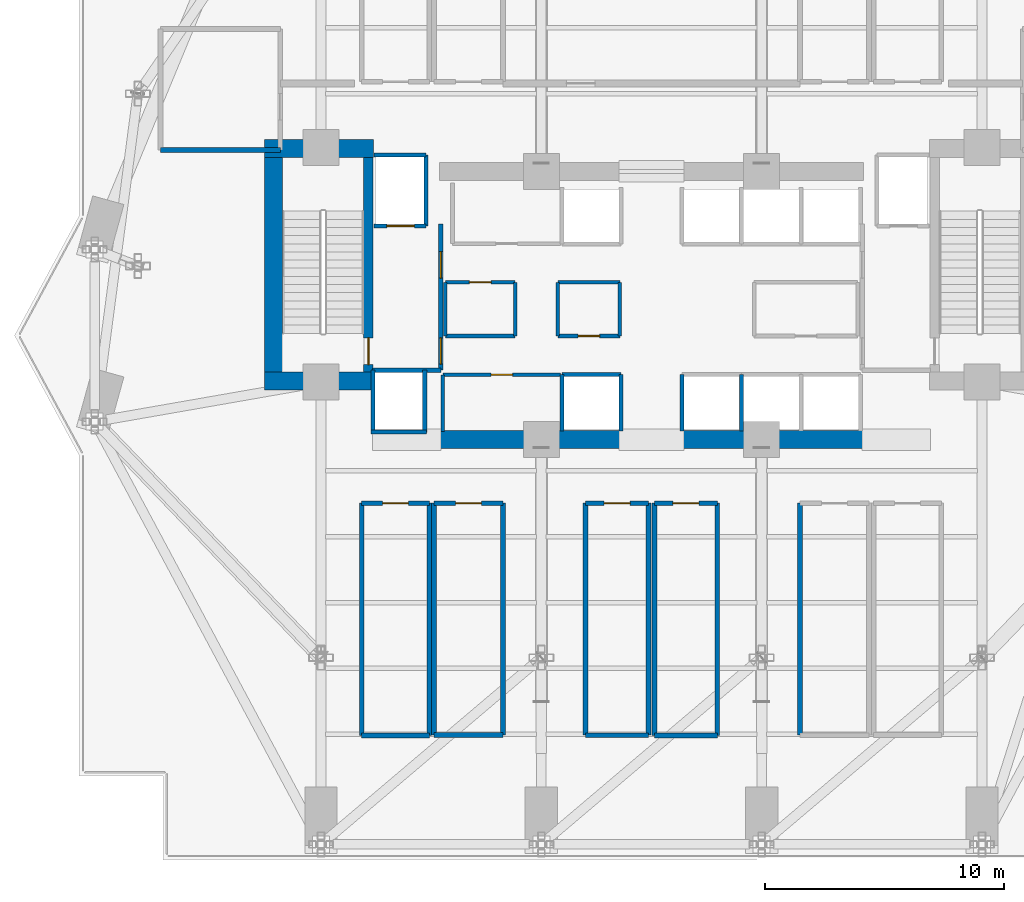
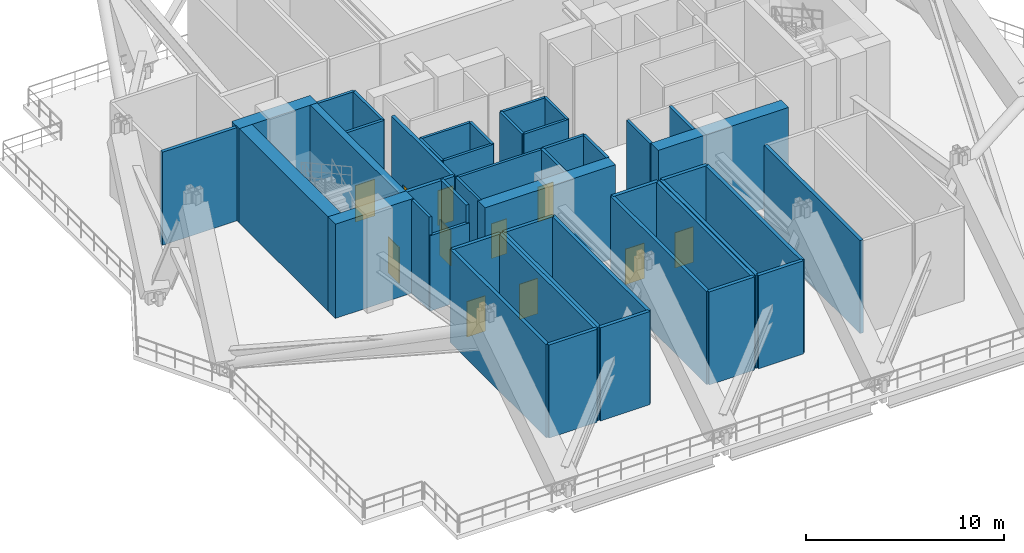
# One storey, part 12 of 18: 47 walls, 11 doors, 11 openings.
"""IFC4 building model written with IfcOpenShell, lengths in metres."""

from ifc_helpers import new_model, si_unit, direction, frame, frame_2d, origin, place, context, subcontext, project, spatial, rectangle, extrude, material, layer, layer_set, type_object, element, fill, save


model = new_model("IFC4")

# Units and contexts
model_context = context("Model", 3, precision=1e-05, world=origin(), true_north=direction((0.0, 1.0)))
body_context = subcontext(model_context, "Body", "Model", "MODEL_VIEW")
ifc_project = project(units=[si_unit("LENGTHUNIT", "METRE"), si_unit("AREAUNIT", "SQUARE_METRE"), si_unit("VOLUMEUNIT", "CUBIC_METRE"), si_unit("PLANEANGLEUNIT", "RADIAN"), si_unit("MASSUNIT", "GRAM", prefix="KILO")], contexts=[model_context])

# Site, building, storey
site_placement = place(None, origin())
site = spatial("IfcSite", under=ifc_project, at=site_placement, CompositionType="ELEMENT")
building_placement = place(site_placement, origin())
building = spatial("IfcBuilding", under=site, at=building_placement, Name="Zuhayl Quay Hotel", CompositionType="ELEMENT")
storey_placement = place(building_placement, frame((0.0, 0.0, 162.199951171875)))
storey = spatial("IfcBuildingStorey", under=building, at=storey_placement, Name="L41", CompositionType="ELEMENT", Elevation=162.199951171875)

# Walls
ifc_material_1 = material(Name="Concrete C60/75", Category="concrete")
ifc_layer_1 = layer(ifc_material_1, 0.75, Name="Concrete C60/75", Category="concrete")
ifc_layer_set_1 = layer_set([ifc_layer_1], Name="Concrete C60/75")
wall_type_1 = type_object("IfcWallType", Name="WL_CORE_750", PredefinedType="SHEAR", material=ifc_layer_set_1)
wall_1_placement = place(storey_placement, frame((-16.159912109375, 14.304931640625, 0.0), z_axis=(0.0, 0.0, 1.0), x_axis=(1.0, 0.0, 0.0)))
element("IfcWall", 1, at=wall_1_placement, inside=storey, type_object=wall_type_1, Name="L41 Core Shear Wall CW_NW", PredefinedType="SHEAR", context=body_context, shape_type="SweptSolid", body=[
    extrude(rectangle(XDim=4.559814453125, YDim=0.75, at=frame_2d((2.27978515625, 0.0))), origin(), (0.0, 0.0, 1.0), 5.81005859375),
])
wall_2_placement = place(storey_placement, frame((-15.784912109375, 4.969970703125, 0.0), z_axis=(0.0, 0.0, 1.0), x_axis=(0.0, 1.0, 0.0)))
element("IfcWall", 2, at=wall_2_placement, inside=storey, type_object=wall_type_1, Name="L41 Core Shear Wall CW_W", PredefinedType="SHEAR", context=body_context, shape_type="SweptSolid", body=[
    extrude(rectangle(XDim=8.9599609375, YDim=0.75, at=frame_2d((4.47998046875, 0.0))), origin(), (0.0, 0.0, 1.0), 5.81005859375),
])
wall_3_placement = place(storey_placement, frame((-16.159912109375, 4.594970703125, 0.0), z_axis=(0.0, 0.0, 1.0), x_axis=(1.0, 0.0, 0.0)))
element("IfcWall", 3, at=wall_3_placement, inside=storey, type_object=wall_type_1, Name="L41 Core Shear Wall CW_SW", PredefinedType="SHEAR", context=body_context, shape_type="SweptSolid", body=[
    extrude(rectangle(XDim=4.559814453125, YDim=0.75, at=frame_2d((2.27978515625, 0.0))), origin(), (0.0, 0.0, 1.0), 5.81005859375),
])
for number, where, z_axis, x_axis, name in (
    (4, (-8.85009765625, 2.14990234375, 0.0), (0.0, 0.0, 1.0), (1.0, 0.0, 0.0), "L41 Core Shear Wall CW_SC_W"),
    (5, (1.25, 2.14990234375, 0.0), (0.0, 0.0, 1.0), (1.0, 0.0, 0.0), "L41 Core Shear Wall CW_SC_E"),
):
    element("IfcWall", number, at=place(storey_placement, frame(where, z_axis=z_axis, x_axis=x_axis)), inside=storey, type_object=wall_type_1, Name=name, PredefinedType="SHEAR", context=body_context, shape_type="SweptSolid", body=[
        extrude(rectangle(XDim=7.60009765625, YDim=0.75, at=frame_2d((3.800048828125, 0.0))), origin(), (0.0, 0.0, 1.0), 5.739990234375),
    ])

# Wall, opening, door
ifc_material_2 = material(Name="Acoustic Gypsum Partition STC-58")
ifc_layer_2 = layer(ifc_material_2, 0.14990234375, Name="Acoustic Gypsum Partition STC-58")
ifc_layer_set_2 = layer_set([ifc_layer_2], Name="Acoustic Gypsum Partition STC-58")
wall_type_2 = type_object("IfcWallType", Name="WL_PART_150", PredefinedType="PARTITIONING", material=ifc_layer_set_2)
wall_4_placement = place(storey_placement, frame((-8.7099609375, 4.860107421875, 0.0), z_axis=(0.0, 0.0, 1.0), x_axis=(1.0, 0.0, 0.0)))
wall_4 = element("IfcWall", 6, at=wall_4_placement, inside=storey, type_object=wall_type_2, Name="L41 Partition IW_L41_FLP_S_N", PredefinedType="PARTITIONING", context=body_context, shape_type="SweptSolid", body=[
    extrude(rectangle(XDim=4.919921875, YDim=0.14990234375, at=frame_2d((2.4599609375, 0.0))), origin(), (0.0, 0.0, 1.0), 5.739990234375),
])
opening_1_placement = place(wall_4_placement, frame((2.010009765625, 0.0, 0.0)))
opening_1 = element("IfcOpeningElement", 7, at=opening_1_placement, cuts=wall_4, Name="Opening D06", PredefinedType="OPENING", context=body_context, shape_type="SweptSolid", body=[
    extrude(rectangle(XDim=0.89990234375, YDim=2.14990234375, at=frame_2d((0.449951171875, 1.074951171875))), frame((0.0, 0.0849609375, 0.0), z_axis=(0.0, -1.0, 0.0), x_axis=(1.0, 0.0, 0.0)), (0.0, 0.0, 1.0), 0.169921875),
])
ifc_material_3 = material(Name="Steel ASTM A992 Grade 50", Category="steel")
door_type_1 = type_object("IfcDoorType", Name="DR_INT_900", OperationType="NOTDEFINED", PredefinedType="DOOR", material=ifc_material_3)
door_1_placement = place(opening_1_placement, origin())
door_1 = element("IfcDoor", 8, at=door_1_placement, inside=storey, type_object=door_type_1, Name="L41 Executive Servery Door", OperationType="SINGLE_SWING_RIGHT", OverallHeight=2.14990234375, OverallWidth=0.89990234375, PredefinedType="DOOR", context=body_context, shape_type="SweptSolid", body=[
    extrude(rectangle(XDim=0.89990234375, YDim=2.14990234375, at=frame_2d((0.449951171875, 1.074951171875))), frame((0.0, 0.02490234375, 0.0), z_axis=(0.0, -1.0, 0.0), x_axis=(1.0, 0.0, 0.0)), (0.0, 0.0, 1.0), 0.050048828125),
])
fill(opening_1, door_1)

wall_5_placement = place(storey_placement, frame((-8.610107421875, 8.719970703125, 0.0), z_axis=(0.0, 0.0, 1.0), x_axis=(1.0, 0.0, 0.0)))
wall_5 = element("IfcWall", 9, at=wall_5_placement, inside=storey, type_object=wall_type_2, Name="L41 Partition IW_L41_CORE_HK_N", PredefinedType="PARTITIONING", context=body_context, shape_type="SweptSolid", body=[
    extrude(rectangle(XDim=2.920166015625, YDim=0.14990234375, at=frame_2d((1.4599609375, 0.0))), origin(), (0.0, 0.0, 1.0), 5.739990234375),
])
opening_2_placement = place(wall_5_placement, frame((1.010009765625, 0.0, 0.0)))
opening_2 = element("IfcOpeningElement", 10, at=opening_2_placement, cuts=wall_5, Name="Opening D06", PredefinedType="OPENING", context=body_context, shape_type="SweptSolid", body=[
    extrude(rectangle(XDim=0.89990234375, YDim=2.14990234375, at=frame_2d((0.449951171875, 1.074951171875))), frame((0.0, 0.0849609375, 0.0), z_axis=(0.0, -1.0, 0.0), x_axis=(1.0, 0.0, 0.0)), (0.0, 0.0, 1.0), 0.169921875),
])
door_2_placement = place(opening_2_placement, origin())
door_2 = element("IfcDoor", 11, at=door_2_placement, inside=storey, type_object=door_type_1, Name="L41 Core Housekeeping Store Door", OperationType="SINGLE_SWING_RIGHT", OverallHeight=2.14990234375, OverallWidth=0.89990234375, PredefinedType="DOOR", context=body_context, shape_type="SweptSolid", body=[
    extrude(rectangle(XDim=0.89990234375, YDim=2.14990234375, at=frame_2d((0.449951171875, 1.074951171875))), frame((0.0, 0.02490234375, 0.0), z_axis=(0.0, -1.0, 0.0), x_axis=(1.0, 0.0, 0.0)), (0.0, 0.0, 1.0), 0.050048828125),
])
fill(opening_2, door_2)

wall_6_placement = place(storey_placement, frame((-3.909912109375, 6.47998046875, 0.0), z_axis=(0.0, 0.0, 1.0), x_axis=(1.0, 0.0, 0.0)))
wall_6 = element("IfcWall", 12, at=wall_6_placement, inside=storey, type_object=wall_type_2, Name="L41 Partition IW_L41_CORE_BC_S", PredefinedType="PARTITIONING", context=body_context, shape_type="SweptSolid", body=[
    extrude(rectangle(XDim=2.58984375, YDim=0.14990234375, at=frame_2d((1.294921875, 0.0))), origin(), (0.0, 0.0, 1.0), 5.739990234375),
])
opening_3_placement = place(wall_6_placement, frame((0.844970703125, 0.0, 0.0)))
opening_3 = element("IfcOpeningElement", 13, at=opening_3_placement, cuts=wall_6, Name="Opening D06", PredefinedType="OPENING", context=body_context, shape_type="SweptSolid", body=[
    extrude(rectangle(XDim=0.89990234375, YDim=2.14990234375, at=frame_2d((0.449951171875, 1.074951171875))), frame((0.0, 0.0849609375, 0.0), z_axis=(0.0, -1.0, 0.0), x_axis=(1.0, 0.0, 0.0)), (0.0, 0.0, 1.0), 0.169921875),
])
door_3_placement = place(opening_3_placement, origin())
door_3 = element("IfcDoor", 14, at=door_3_placement, inside=storey, type_object=door_type_1, Name="L41 BMS Control Closet Door", OperationType="SINGLE_SWING_LEFT", OverallHeight=2.14990234375, OverallWidth=0.89990234375, PredefinedType="DOOR", context=body_context, shape_type="SweptSolid", body=[
    extrude(rectangle(XDim=0.89990234375, YDim=2.14990234375, at=frame_2d((0.449951171875, 1.074951171875))), frame((0.0, 0.02490234375, 0.0), z_axis=(0.0, -1.0, 0.0), x_axis=(1.0, 0.0, 0.0)), (0.0, 0.0, 1.0), 0.050048828125),
])
fill(opening_3, door_3)

# Walls
wall_7_placement = place(storey_placement, frame((-8.7099609375, 2.489990234375, 0.0), z_axis=(0.0, 0.0, 1.0), x_axis=(0.0, 1.0, 0.0)))
element("IfcWall", 15, at=wall_7_placement, inside=storey, type_object=wall_type_2, Name="L41 Partition IW_L41_FLP_S_W", PredefinedType="PARTITIONING", context=body_context, shape_type="SweptSolid", body=[
    extrude(rectangle(XDim=2.3701171875, YDim=0.14990234375, at=frame_2d((1.18505859375, 0.0))), origin(), (0.0, 0.0, 1.0), 5.739990234375),
])
wall_8_placement = place(storey_placement, frame((-8.610107421875, 6.47998046875, 0.0), z_axis=(0.0, 0.0, 1.0), x_axis=(1.0, 0.0, 0.0)))
element("IfcWall", 16, at=wall_8_placement, inside=storey, type_object=wall_type_2, Name="L41 Partition IW_L41_CORE_HK_S", PredefinedType="PARTITIONING", context=body_context, shape_type="SweptSolid", body=[
    extrude(rectangle(XDim=2.920166015625, YDim=0.14990234375, at=frame_2d((1.4599609375, 0.0))), origin(), (0.0, 0.0, 1.0), 5.739990234375),
])
for number, where, z_axis, x_axis, name in (
    (17, (-8.610107421875, 6.47998046875, 0.0), (0.0, 0.0, 1.0), (0.0, 1.0, 0.0), "L41 Partition IW_L41_CORE_HK_W"),
    (18, (-5.68994140625, 6.47998046875, 0.0), (0.0, 0.0, 1.0), (0.0, 1.0, 0.0), "L41 Partition IW_L41_CORE_HK_E"),
):
    element("IfcWall", number, at=place(storey_placement, frame(where, z_axis=z_axis, x_axis=x_axis)), inside=storey, type_object=wall_type_2, Name=name, PredefinedType="PARTITIONING", context=body_context, shape_type="SweptSolid", body=[
        extrude(rectangle(XDim=2.239990234375, YDim=0.14990234375, at=frame_2d((1.1201171875, 0.0))), origin(), (0.0, 0.0, 1.0), 5.739990234375),
    ])
wall_9_placement = place(storey_placement, frame((-3.909912109375, 8.719970703125, 0.0), z_axis=(0.0, 0.0, 1.0), x_axis=(1.0, 0.0, 0.0)))
element("IfcWall", 19, at=wall_9_placement, inside=storey, type_object=wall_type_2, Name="L41 Partition IW_L41_CORE_BC_N", PredefinedType="PARTITIONING", context=body_context, shape_type="SweptSolid", body=[
    extrude(rectangle(XDim=2.58984375, YDim=0.14990234375, at=frame_2d((1.294921875, 0.0))), origin(), (0.0, 0.0, 1.0), 5.739990234375),
])
for number, where, z_axis, x_axis, name in (
    (20, (-3.909912109375, 6.47998046875, 0.0), (0.0, 0.0, 1.0), (0.0, 1.0, 0.0), "L41 Partition IW_L41_CORE_BC_W"),
    (21, (-1.320068359375, 6.47998046875, 0.0), (0.0, 0.0, 1.0), (0.0, 1.0, 0.0), "L41 Partition IW_L41_CORE_BC_E"),
):
    element("IfcWall", number, at=place(storey_placement, frame(where, z_axis=z_axis, x_axis=x_axis)), inside=storey, type_object=wall_type_2, Name=name, PredefinedType="PARTITIONING", context=body_context, shape_type="SweptSolid", body=[
        extrude(rectangle(XDim=2.239990234375, YDim=0.14990234375, at=frame_2d((1.1201171875, 0.0))), origin(), (0.0, 0.0, 1.0), 5.739990234375),
    ])

# Wall, opening, door
ifc_material_4 = material(Name="Gypsum Fireboard Assembly EI-90")
ifc_layer_3 = layer(ifc_material_4, 0.1650390625, Name="Gypsum Fireboard Assembly EI-90")
ifc_layer_set_3 = layer_set([ifc_layer_3], Name="Gypsum Fireboard Assembly EI-90")
wall_type_3 = type_object("IfcWallType", Name="WL_PART_SHAFT_160", PredefinedType="PARTITIONING", material=ifc_layer_set_3)
wall_10_placement = place(storey_placement, frame((-11.580078125, 11.070068359375, 0.0), z_axis=(0.0, 0.0, 1.0), x_axis=(1.0, 0.0, 0.0)))
wall_10 = element("IfcWall", 22, at=wall_10_placement, inside=storey, type_object=wall_type_3, Name="L41 Partition IW_L41_SH_FL1_F", PredefinedType="PARTITIONING", context=body_context, shape_type="SweptSolid", body=[
    extrude(rectangle(XDim=2.16015625, YDim=0.1650390625, at=frame_2d((1.080078125, 0.0))), origin(), (0.0, 0.0, 1.0), 5.739990234375),
])
opening_4_placement = place(wall_10_placement, frame((0.530029296875, 0.0, 0.0)))
opening_4 = element("IfcOpeningElement", 23, at=opening_4_placement, cuts=wall_10, Name="Opening LD2", PredefinedType="OPENING", context=body_context, shape_type="SweptSolid", body=[
    extrude(rectangle(XDim=1.14990234375, YDim=2.25, at=frame_2d((0.574951171875, 1.125))), frame((0.0, 0.092529296875, 0.0), z_axis=(0.0, -1.0, 0.0), x_axis=(1.0, 0.0, 0.0)), (0.0, 0.0, 1.0), 0.18505859375),
])
ifc_material_5 = material(Name="Brushed Stainless Steel", Category="steel")
door_type_2 = type_object("IfcDoorType", Name="DR_LIFT_FF_1100", OperationType="SLIDING_TO_LEFT", PredefinedType="DOOR", material=ifc_material_5)
door_4_placement = place(opening_4_placement, origin())
door_4 = element("IfcDoor", 24, at=door_4_placement, inside=storey, type_object=door_type_2, Name="L41 Lift FL1 Sliding Landing Door", OperationType="SLIDING_TO_LEFT", OverallHeight=2.25, OverallWidth=1.14990234375, PredefinedType="DOOR", context=body_context, shape_type="SweptSolid", body=[
    extrude(rectangle(XDim=1.14990234375, YDim=2.25, at=frame_2d((0.574951171875, 1.125))), frame((0.0, 0.02490234375, 0.0), z_axis=(0.0, -1.0, 0.0), x_axis=(1.0, 0.0, 0.0)), (0.0, 0.0, 1.0), 0.050048828125),
])
fill(opening_4, door_4)

# Walls
wall_11_placement = place(storey_placement, frame((-9.419921875, 11.070068359375, 0.0), z_axis=(0.0, 0.0, 1.0), x_axis=(0.0, 1.0, 0.0)))
element("IfcWall", 25, at=wall_11_placement, inside=storey, type_object=wall_type_3, Name="L41 Partition IW_L41_SH_FL1_E", PredefinedType="PARTITIONING", context=body_context, shape_type="SweptSolid", body=[
    extrude(rectangle(XDim=2.9599609375, YDim=0.1650390625, at=frame_2d((1.47998046875, 0.0))), origin(), (0.0, 0.0, 1.0), 5.739990234375),
])
wall_12_placement = place(storey_placement, frame((-11.580078125, 14.030029296875, 0.0), z_axis=(0.0, 0.0, 1.0), x_axis=(1.0, 0.0, 0.0)))
element("IfcWall", 26, at=wall_12_placement, inside=storey, type_object=wall_type_3, Name="L41 Partition IW_L41_SH_FL1_B", PredefinedType="PARTITIONING", context=body_context, shape_type="SweptSolid", body=[
    extrude(rectangle(XDim=2.16015625, YDim=0.1650390625, at=frame_2d((1.080078125, 0.0))), origin(), (0.0, 0.0, 1.0), 5.739990234375),
])
wall_13_placement = place(storey_placement, frame((-3.72998046875, 4.8798828125, 0.0), z_axis=(0.0, 0.0, 1.0), x_axis=(1.0, 0.0, 0.0)))
element("IfcWall", 27, at=wall_13_placement, inside=storey, type_object=wall_type_3, Name="L41 Partition IW_L41_SH_MP1_F", PredefinedType="PARTITIONING", context=body_context, shape_type="SweptSolid", body=[
    extrude(rectangle(XDim=2.4599609375, YDim=0.1650390625, at=frame_2d((1.22998046875, 0.0))), origin(), (0.0, 0.0, 1.0), 5.739990234375),
])
for number, where, z_axis, x_axis, name in (
    (28, (-3.72998046875, 2.52001953125, 0.0), (0.0, 0.0, 1.0), (0.0, 1.0, 0.0), "L41 Partition IW_L41_SH_MP1_W"),
    (29, (-1.27001953125, 2.52001953125, 0.0), (0.0, 0.0, 1.0), (0.0, 1.0, 0.0), "L41 Partition IW_L41_SH_MP1_E"),
    (30, (1.27001953125, 2.52001953125, 0.0), (0.0, 0.0, 1.0), (0.0, 1.0, 0.0), "L41 Partition IW_L41_SH_MP2_W"),
    (31, (3.75, 2.52001953125, 0.0), (0.0, 0.0, 1.0), (0.0, 1.0, 0.0), "L41 Partition IW_L41_SH_MP2_E"),
):
    element("IfcWall", number, at=place(storey_placement, frame(where, z_axis=z_axis, x_axis=x_axis)), inside=storey, type_object=wall_type_3, Name=name, PredefinedType="PARTITIONING", context=body_context, shape_type="SweptSolid", body=[
        extrude(rectangle(XDim=2.35986328125, YDim=0.1650390625, at=frame_2d((1.179931640625, 0.0))), origin(), (0.0, 0.0, 1.0), 5.739990234375),
    ])
wall_14_placement = place(storey_placement, frame((-11.6298828125, 2.469970703125, 0.0), z_axis=(0.0, 0.0, 1.0), x_axis=(0.0, 1.0, 0.0)))
element("IfcWall", 32, at=wall_14_placement, inside=storey, type_object=wall_type_3, Name="L41 Partition IW_L41_RISER_W", PredefinedType="PARTITIONING", context=body_context, shape_type="SweptSolid", body=[
    extrude(rectangle(XDim=2.580078125, YDim=0.1650390625, at=frame_2d((1.2900390625, 0.0))), origin(), (0.0, 0.0, 1.0), 5.739990234375),
])
wall_15_placement = place(storey_placement, frame((-11.7099609375, 2.469970703125, 0.0), z_axis=(0.0, 0.0, 1.0), x_axis=(1.0, 0.0, 0.0)))
element("IfcWall", 33, at=wall_15_placement, inside=storey, type_object=wall_type_3, Name="L41 Partition IW_L41_RISER_S", PredefinedType="PARTITIONING", context=body_context, shape_type="SweptSolid", body=[
    extrude(rectangle(XDim=2.31005859375, YDim=0.1650390625, at=frame_2d((1.155029296875, 0.0))), origin(), (0.0, 0.0, 1.0), 4.64013671875),
])
ifc_layer_4 = layer(ifc_material_4, 0.179931640625, Name="Gypsum Fireboard Assembly EI-90")
ifc_layer_set_4 = layer_set([ifc_layer_4], Name="Gypsum Fireboard Assembly EI-90")
wall_type_4 = type_object("IfcWallType", Name="WL_PART_SHAFT_180", PredefinedType="PARTITIONING", material=ifc_layer_set_4)
wall_16_placement = place(storey_placement, frame((-9.469970703125, 2.449951171875, 0.0), z_axis=(0.0, 0.0, 1.0), x_axis=(0.0, 1.0, 0.0)))
element("IfcWall", 34, at=wall_16_placement, inside=storey, type_object=wall_type_4, Name="L41 Partition IW_L41_RISER_E", PredefinedType="PARTITIONING", context=body_context, shape_type="SweptSolid", body=[
    extrude(rectangle(XDim=2.60009765625, YDim=0.179931640625, at=frame_2d((1.300048828125, 0.0))), origin(), (0.0, 0.0, 1.0), 5.739990234375),
])

# Wall, openings, doors
ifc_material_6 = material(Name="Gypsum Fireboard Assembly EI-120")
ifc_layer_5 = layer(ifc_material_6, 0.199951171875, Name="Gypsum Fireboard Assembly EI-120")
ifc_layer_set_5 = layer_set([ifc_layer_5], Name="Gypsum Fireboard Assembly EI-120")
wall_type_5 = type_object("IfcWallType", Name="WL_PART_SHAFT_200", PredefinedType="PARTITIONING", material=ifc_layer_set_5)
wall_17_placement = place(storey_placement, frame((-8.800048828125, 5.050048828125, 0.0), z_axis=(0.0, 0.0, 1.0), x_axis=(0.0, 1.0, 0.0)))
wall_17 = element("IfcWall", 35, at=wall_17_placement, inside=storey, type_object=wall_type_5, Name="L41 Partition IW_L41_FSAE_W_E", PredefinedType="PARTITIONING", context=body_context, shape_type="SweptSolid", body=[
    extrude(rectangle(XDim=6.099853515625, YDim=0.199951171875, at=frame_2d((3.0498046875, 0.0))), origin(), (0.0, 0.0, 1.0), 5.739990234375),
])
opening_5_placement = place(wall_17_placement, frame((0.25, 0.0, 0.0)))
opening_5 = element("IfcOpeningElement", 36, at=opening_5_placement, cuts=wall_17, Name="Opening D02", PredefinedType="OPENING", context=body_context, shape_type="SweptSolid", body=[
    extrude(rectangle(XDim=1.10009765625, YDim=2.199951171875, at=frame_2d((0.550048828125, 1.10009765625))), frame((0.0, 0.10986328125, 0.0), z_axis=(0.0, -1.0, 0.0), x_axis=(1.0, 0.0, 0.0)), (0.0, 0.0, 1.0), 0.219970703125),
])
opening_6_placement = place(wall_17_placement, frame((3.85009765625, 0.0, 0.0)))
opening_6 = element("IfcOpeningElement", 37, at=opening_6_placement, cuts=wall_17, Name="Opening D02", PredefinedType="OPENING", context=body_context, shape_type="SweptSolid", body=[
    extrude(rectangle(XDim=1.10009765625, YDim=2.199951171875, at=frame_2d((0.550048828125, 1.10009765625))), frame((0.0, 0.10986328125, 0.0), z_axis=(0.0, -1.0, 0.0), x_axis=(1.0, 0.0, 0.0)), (0.0, 0.0, 1.0), 0.219970703125),
])
door_type_3 = type_object("IfcDoorType", Name="DR_FIRE_90_1100", OperationType="NOTDEFINED", PredefinedType="DOOR", material=ifc_material_3)
door_5_placement = place(opening_5_placement, origin())
door_5 = element("IfcDoor", 38, at=door_5_placement, inside=storey, type_object=door_type_3, Name="L41 FSAE Lobby West South Entry Door", OperationType="SINGLE_SWING_RIGHT", OverallHeight=2.199951171875, OverallWidth=1.10009765625, PredefinedType="DOOR", context=body_context, shape_type="SweptSolid", body=[
    extrude(rectangle(XDim=1.10009765625, YDim=2.199951171875, at=frame_2d((0.550048828125, 1.10009765625))), frame((0.0, 0.02490234375, 0.0), z_axis=(0.0, -1.0, 0.0), x_axis=(1.0, 0.0, 0.0)), (0.0, 0.0, 1.0), 0.050048828125),
])
fill(opening_5, door_5)
door_6_placement = place(opening_6_placement, origin())
door_6 = element("IfcDoor", 39, at=door_6_placement, inside=storey, type_object=door_type_3, Name="L41 FSAE Lobby West North Entry Door", OperationType="SINGLE_SWING_LEFT", OverallHeight=2.199951171875, OverallWidth=1.10009765625, PredefinedType="DOOR", context=body_context, shape_type="SweptSolid", body=[
    extrude(rectangle(XDim=1.10009765625, YDim=2.199951171875, at=frame_2d((0.550048828125, 1.10009765625))), frame((0.0, 0.02490234375, 0.0), z_axis=(0.0, -1.0, 0.0), x_axis=(1.0, 0.0, 0.0)), (0.0, 0.0, 1.0), 0.050048828125),
])
fill(opening_6, door_6)

# Wall, opening, door
wall_18_placement = place(storey_placement, frame((-12.10009765625, -0.5, 0.0), z_axis=(0.0, 0.0, 1.0), x_axis=(1.0, 0.0, 0.0)))
wall_18 = element("IfcWall", 40, at=wall_18_placement, inside=storey, type_object=wall_type_5, Name="L41 Partition IW_L41_MEP_ELEC_N", PredefinedType="PARTITIONING", context=body_context, shape_type="SweptSolid", body=[
    extrude(rectangle(XDim=2.820068359375, YDim=0.199951171875, at=frame_2d((1.41015625, 0.0))), origin(), (0.0, 0.0, 1.0), 5.739990234375),
])
opening_7_placement = place(wall_18_placement, frame((0.8701171875, 0.0, 0.0)))
opening_7 = element("IfcOpeningElement", 41, at=opening_7_placement, cuts=wall_18, Name="Opening D05A", PredefinedType="OPENING", context=body_context, shape_type="SweptSolid", body=[
    extrude(rectangle(XDim=1.080078125, YDim=2.179931640625, at=frame_2d((0.5400390625, 1.08984375))), frame((0.0, 0.10986328125, 0.0), z_axis=(0.0, -1.0, 0.0), x_axis=(1.0, 0.0, 0.0)), (0.0, 0.0, 1.0), 0.219970703125),
])
ifc_material_7 = material(Name="Solid Walnut Acoustic Fire Door")
door_type_4 = type_object("IfcDoorType", Name="DR_INT_1100", OperationType="NOTDEFINED", PredefinedType="DOOR", material=ifc_material_7)
door_7_placement = place(opening_7_placement, origin())
door_7 = element("IfcDoor", 42, at=door_7_placement, inside=storey, type_object=door_type_4, Name="L41 Switchgear Plant Room Door", OperationType="SINGLE_SWING_LEFT", OverallHeight=2.179931640625, OverallWidth=1.080078125, PredefinedType="DOOR", context=body_context, shape_type="SweptSolid", body=[
    extrude(rectangle(XDim=1.080078125, YDim=2.179931640625, at=frame_2d((0.5400390625, 1.08984375))), frame((0.0, 0.02490234375, 0.0), z_axis=(0.0, -1.0, 0.0), x_axis=(1.0, 0.0, 0.0)), (0.0, 0.0, 1.0), 0.050048828125),
])
fill(opening_7, door_7)

wall_19_placement = place(storey_placement, frame((-9.080078125, -0.5, 0.0), z_axis=(0.0, 0.0, 1.0), x_axis=(1.0, 0.0, 0.0)))
wall_19 = element("IfcWall", 43, at=wall_19_placement, inside=storey, type_object=wall_type_5, Name="L41 Partition IW_L41_MEP_SMK_N", PredefinedType="PARTITIONING", context=body_context, shape_type="SweptSolid", body=[
    extrude(rectangle(XDim=2.880126953125, YDim=0.199951171875, at=frame_2d((1.43994140625, 0.0))), origin(), (0.0, 0.0, 1.0), 5.739990234375),
])
opening_8_placement = place(wall_19_placement, frame((0.89990234375, 0.0, 0.0)))
opening_8 = element("IfcOpeningElement", 44, at=opening_8_placement, cuts=wall_19, Name="Opening D05A", PredefinedType="OPENING", context=body_context, shape_type="SweptSolid", body=[
    extrude(rectangle(XDim=1.080078125, YDim=2.179931640625, at=frame_2d((0.5400390625, 1.08984375))), frame((0.0, 0.10986328125, 0.0), z_axis=(0.0, -1.0, 0.0), x_axis=(1.0, 0.0, 0.0)), (0.0, 0.0, 1.0), 0.219970703125),
])
door_8_placement = place(opening_8_placement, origin())
door_8 = element("IfcDoor", 45, at=door_8_placement, inside=storey, type_object=door_type_4, Name="L41 Smoke-Extract Fan Plant Room Door", OperationType="SINGLE_SWING_RIGHT", OverallHeight=2.179931640625, OverallWidth=1.080078125, PredefinedType="DOOR", context=body_context, shape_type="SweptSolid", body=[
    extrude(rectangle(XDim=1.080078125, YDim=2.179931640625, at=frame_2d((0.5400390625, 1.08984375))), frame((0.0, 0.02490234375, 0.0), z_axis=(0.0, -1.0, 0.0), x_axis=(1.0, 0.0, 0.0)), (0.0, 0.0, 1.0), 0.050048828125),
])
fill(opening_8, door_8)

wall_20_placement = place(storey_placement, frame((-2.75, -0.5, 0.0), z_axis=(0.0, 0.0, 1.0), x_axis=(1.0, 0.0, 0.0)))
wall_20 = element("IfcWall", 46, at=wall_20_placement, inside=storey, type_object=wall_type_5, Name="L41 Partition IW_L41_MEP_HRC_N", PredefinedType="PARTITIONING", context=body_context, shape_type="SweptSolid", body=[
    extrude(rectangle(XDim=2.6298828125, YDim=0.199951171875, at=frame_2d((1.31494140625, 0.0))), origin(), (0.0, 0.0, 1.0), 5.739990234375),
])
opening_9_placement = place(wall_20_placement, frame((0.77490234375, 0.0, 0.0)))
opening_9 = element("IfcOpeningElement", 47, at=opening_9_placement, cuts=wall_20, Name="Opening D05A", PredefinedType="OPENING", context=body_context, shape_type="SweptSolid", body=[
    extrude(rectangle(XDim=1.080078125, YDim=2.179931640625, at=frame_2d((0.5400390625, 1.08984375))), frame((0.0, 0.10986328125, 0.0), z_axis=(0.0, -1.0, 0.0), x_axis=(1.0, 0.0, 0.0)), (0.0, 0.0, 1.0), 0.219970703125),
])
door_9_placement = place(opening_9_placement, origin())
door_9 = element("IfcDoor", 48, at=door_9_placement, inside=storey, type_object=door_type_4, Name="L41 Heat-Recovery Plant Room Door", OperationType="SINGLE_SWING_LEFT", OverallHeight=2.179931640625, OverallWidth=1.080078125, PredefinedType="DOOR", context=body_context, shape_type="SweptSolid", body=[
    extrude(rectangle(XDim=1.080078125, YDim=2.179931640625, at=frame_2d((0.5400390625, 1.08984375))), frame((0.0, 0.02490234375, 0.0), z_axis=(0.0, -1.0, 0.0), x_axis=(1.0, 0.0, 0.0)), (0.0, 0.0, 1.0), 0.050048828125),
])
fill(opening_9, door_9)

wall_21_placement = place(storey_placement, frame((0.1201171875, -0.5, 0.0), z_axis=(0.0, 0.0, 1.0), x_axis=(1.0, 0.0, 0.0)))
wall_21 = element("IfcWall", 49, at=wall_21_placement, inside=storey, type_object=wall_type_5, Name="L41 Partition IW_L41_MEP_BMS_N", PredefinedType="PARTITIONING", context=body_context, shape_type="SweptSolid", body=[
    extrude(rectangle(XDim=2.6298828125, YDim=0.199951171875, at=frame_2d((1.31494140625, 0.0))), origin(), (0.0, 0.0, 1.0), 5.739990234375),
])
opening_10_placement = place(wall_21_placement, frame((0.77490234375, 0.0, 0.0)))
opening_10 = element("IfcOpeningElement", 50, at=opening_10_placement, cuts=wall_21, Name="Opening D05A", PredefinedType="OPENING", context=body_context, shape_type="SweptSolid", body=[
    extrude(rectangle(XDim=1.080078125, YDim=2.179931640625, at=frame_2d((0.5400390625, 1.08984375))), frame((0.0, 0.10986328125, 0.0), z_axis=(0.0, -1.0, 0.0), x_axis=(1.0, 0.0, 0.0)), (0.0, 0.0, 1.0), 0.219970703125),
])
door_10_placement = place(opening_10_placement, origin())
door_10 = element("IfcDoor", 51, at=door_10_placement, inside=storey, type_object=door_type_4, Name="L41 BMS Plant Room Door", OperationType="SINGLE_SWING_RIGHT", OverallHeight=2.179931640625, OverallWidth=1.080078125, PredefinedType="DOOR", context=body_context, shape_type="SweptSolid", body=[
    extrude(rectangle(XDim=1.080078125, YDim=2.179931640625, at=frame_2d((0.5400390625, 1.08984375))), frame((0.0, 0.02490234375, 0.0), z_axis=(0.0, -1.0, 0.0), x_axis=(1.0, 0.0, 0.0)), (0.0, 0.0, 1.0), 0.050048828125),
])
fill(opening_10, door_10)

# Walls
wall_22_placement = place(storey_placement, frame((-11.64990234375, 5.050048828125, 0.0), z_axis=(0.0, 0.0, 1.0), x_axis=(1.0, 0.0, 0.0)))
element("IfcWall", 52, at=wall_22_placement, inside=storey, type_object=wall_type_5, Name="L41 Partition IW_L41_FSAE_W_S", PredefinedType="PARTITIONING", context=body_context, shape_type="SweptSolid", body=[
    extrude(rectangle(XDim=2.849853515625, YDim=0.199951171875, at=frame_2d((1.4248046875, 0.0))), origin(), (0.0, 0.0, 1.0), 5.739990234375),
])
wall_23_placement = place(storey_placement, frame((-20.5, 14.25, 0.0), z_axis=(0.0, 0.0, 1.0), x_axis=(1.0, 0.0, 0.0)))
element("IfcWall", 53, at=wall_23_placement, inside=storey, type_object=wall_type_5, Name="L41 Partition IW_L41_REF_W_S", PredefinedType="PARTITIONING", context=body_context, shape_type="SweptSolid", body=[
    extrude(rectangle(XDim=5.0, YDim=0.199951171875, at=frame_2d((2.5, 0.0))), origin(), (0.0, 0.0, 1.0), 5.739990234375),
])
wall_24_placement = place(storey_placement, frame((-12.10009765625, -10.197021484375, 0.0), z_axis=(0.0, 0.0, 1.0), x_axis=(1.0, 0.0, 0.0)))
element("IfcWall", 54, at=wall_24_placement, inside=storey, type_object=wall_type_5, Name="L41 Partition IW_L41_MEP_ELEC_S", PredefinedType="PARTITIONING", context=body_context, shape_type="SweptSolid", body=[
    extrude(rectangle(XDim=2.820068359375, YDim=0.199951171875, at=frame_2d((1.41015625, 0.0))), origin(), (0.0, 0.0, 1.0), 5.739990234375),
])
for number, where, z_axis, x_axis, name in (
    (55, (-12.10009765625, -10.197021484375, 0.0), (0.0, 0.0, 1.0), (0.0, 1.0, 0.0), "L41 Partition IW_L41_MEP_ELEC_W"),
    (56, (-9.280029296875, -10.197021484375, 0.0), (0.0, 0.0, 1.0), (0.0, 1.0, 0.0), "L41 Partition IW_L41_MEP_ELEC_E"),
):
    element("IfcWall", number, at=place(storey_placement, frame(where, z_axis=z_axis, x_axis=x_axis)), inside=storey, type_object=wall_type_5, Name=name, PredefinedType="PARTITIONING", context=body_context, shape_type="SweptSolid", body=[
        extrude(rectangle(XDim=9.697021484375, YDim=0.199951171875, at=frame_2d((4.8486328125, 0.0))), origin(), (0.0, 0.0, 1.0), 5.739990234375),
    ])
wall_25_placement = place(storey_placement, frame((-9.080078125, -10.18603515625, 0.0), z_axis=(0.0, 0.0, 1.0), x_axis=(1.0, 0.0, 0.0)))
element("IfcWall", 57, at=wall_25_placement, inside=storey, type_object=wall_type_5, Name="L41 Partition IW_L41_MEP_SMK_S", PredefinedType="PARTITIONING", context=body_context, shape_type="SweptSolid", body=[
    extrude(rectangle(XDim=2.880126953125, YDim=0.199951171875, at=frame_2d((1.43994140625, 0.0))), origin(), (0.0, 0.0, 1.0), 5.739990234375),
])
for number, where, z_axis, x_axis, name in (
    (58, (-9.080078125, -10.18603515625, 0.0), (0.0, 0.0, 1.0), (0.0, 1.0, 0.0), "L41 Partition IW_L41_MEP_SMK_W"),
    (59, (-6.199951171875, -10.18603515625, 0.0), (0.0, 0.0, 1.0), (0.0, 1.0, 0.0), "L41 Partition IW_L41_MEP_SMK_E"),
):
    element("IfcWall", number, at=place(storey_placement, frame(where, z_axis=z_axis, x_axis=x_axis)), inside=storey, type_object=wall_type_5, Name=name, PredefinedType="PARTITIONING", context=body_context, shape_type="SweptSolid", body=[
        extrude(rectangle(XDim=9.68603515625, YDim=0.199951171875, at=frame_2d((4.843017578125, 0.0))), origin(), (0.0, 0.0, 1.0), 5.739990234375),
    ])
wall_26_placement = place(storey_placement, frame((-2.75, -10.18896484375, 0.0), z_axis=(0.0, 0.0, 1.0), x_axis=(1.0, 0.0, 0.0)))
element("IfcWall", 60, at=wall_26_placement, inside=storey, type_object=wall_type_5, Name="L41 Partition IW_L41_MEP_HRC_S", PredefinedType="PARTITIONING", context=body_context, shape_type="SweptSolid", body=[
    extrude(rectangle(XDim=2.6298828125, YDim=0.199951171875, at=frame_2d((1.31494140625, 0.0))), origin(), (0.0, 0.0, 1.0), 5.739990234375),
])
for number, where, z_axis, x_axis, name in (
    (61, (-2.75, -10.18896484375, 0.0), (0.0, 0.0, 1.0), (0.0, 1.0, 0.0), "L41 Partition IW_L41_MEP_HRC_W"),
    (62, (-0.1201171875, -10.18896484375, 0.0), (0.0, 0.0, 1.0), (0.0, 1.0, 0.0), "L41 Partition IW_L41_MEP_HRC_E"),
):
    element("IfcWall", number, at=place(storey_placement, frame(where, z_axis=z_axis, x_axis=x_axis)), inside=storey, type_object=wall_type_5, Name=name, PredefinedType="PARTITIONING", context=body_context, shape_type="SweptSolid", body=[
        extrude(rectangle(XDim=9.68896484375, YDim=0.199951171875, at=frame_2d((4.844482421875, 0.0))), origin(), (0.0, 0.0, 1.0), 5.739990234375),
    ])
wall_27_placement = place(storey_placement, frame((0.1201171875, -10.197021484375, 0.0), z_axis=(0.0, 0.0, 1.0), x_axis=(1.0, 0.0, 0.0)))
element("IfcWall", 63, at=wall_27_placement, inside=storey, type_object=wall_type_5, Name="L41 Partition IW_L41_MEP_BMS_S", PredefinedType="PARTITIONING", context=body_context, shape_type="SweptSolid", body=[
    extrude(rectangle(XDim=2.6298828125, YDim=0.199951171875, at=frame_2d((1.31494140625, 0.0))), origin(), (0.0, 0.0, 1.0), 5.739990234375),
])
for number, where, z_axis, x_axis, name in (
    (64, (0.1201171875, -10.197021484375, 0.0), (0.0, 0.0, 1.0), (0.0, 1.0, 0.0), "L41 Partition IW_L41_MEP_BMS_W"),
    (65, (2.75, -10.197021484375, 0.0), (0.0, 0.0, 1.0), (0.0, 1.0, 0.0), "L41 Partition IW_L41_MEP_BMS_E"),
):
    element("IfcWall", number, at=place(storey_placement, frame(where, z_axis=z_axis, x_axis=x_axis)), inside=storey, type_object=wall_type_5, Name=name, PredefinedType="PARTITIONING", context=body_context, shape_type="SweptSolid", body=[
        extrude(rectangle(XDim=9.697021484375, YDim=0.199951171875, at=frame_2d((4.8486328125, 0.0))), origin(), (0.0, 0.0, 1.0), 5.739990234375),
    ])
wall_28_placement = place(storey_placement, frame((6.199951171875, -10.18798828125, 0.0), z_axis=(0.0, 0.0, 1.0), x_axis=(0.0, 1.0, 0.0)))
element("IfcWall", 66, at=wall_28_placement, inside=storey, type_object=wall_type_5, Name="L41 Partition IW_L41_MEP_PUMP_W", PredefinedType="PARTITIONING", context=body_context, shape_type="SweptSolid", body=[
    extrude(rectangle(XDim=9.68798828125, YDim=0.199951171875, at=frame_2d((4.843994140625, 0.0))), origin(), (0.0, 0.0, 1.0), 5.739990234375),
])

# Wall, opening, door
ifc_layer_6 = layer(ifc_material_1, 0.39990234375, Name="Concrete C60/75", Category="concrete")
ifc_layer_set_6 = layer_set([ifc_layer_6], Name="Concrete C60/75")
wall_type_6 = type_object("IfcWallType", Name="WL_STAIR_400", PredefinedType="SHEAR", material=ifc_layer_set_6)
wall_29_placement = place(storey_placement, frame((-11.820068359375, 4.969970703125, 0.0), z_axis=(0.0, 0.0, 1.0), x_axis=(0.0, 1.0, 0.0)))
wall_29 = element("IfcWall", 67, at=wall_29_placement, inside=storey, type_object=wall_type_6, Name="L41 Core Shear Wall SW_ST1", PredefinedType="SHEAR", context=body_context, shape_type="SweptSolid", body=[
    extrude(rectangle(XDim=8.9599609375, YDim=0.39990234375, at=frame_2d((4.47998046875, 0.0))), origin(), (0.0, 0.0, 1.0), 5.81005859375),
])
opening_11_placement = place(wall_29_placement, frame((0.31005859375, 0.0, 0.0)))
opening_11 = element("IfcOpeningElement", 68, at=opening_11_placement, cuts=wall_29, Name="Opening D01", PredefinedType="OPENING", context=body_context, shape_type="SweptSolid", body=[
    extrude(rectangle(XDim=1.1201171875, YDim=2.219970703125, at=frame_2d((0.56005859375, 1.10986328125))), frame((0.0, 0.2099609375, 0.0), z_axis=(0.0, -1.0, 0.0), x_axis=(1.0, 0.0, 0.0)), (0.0, 0.0, 1.0), 0.419921875),
])
door_type_5 = type_object("IfcDoorType", Name="DR_STAIR_90_1100", OperationType="NOTDEFINED", PredefinedType="DOOR", material=ifc_material_3)
door_11_placement = place(opening_11_placement, origin())
door_11 = element("IfcDoor", 69, at=door_11_placement, inside=storey, type_object=door_type_5, Name="L41 Smokeproof Exit Stair ST1 Door", OperationType="SINGLE_SWING_LEFT", OverallHeight=2.219970703125, OverallWidth=1.1201171875, PredefinedType="DOOR", context=body_context, shape_type="SweptSolid", body=[
    extrude(rectangle(XDim=1.1201171875, YDim=2.219970703125, at=frame_2d((0.56005859375, 1.10986328125))), frame((0.0, 0.02490234375, 0.0), z_axis=(0.0, -1.0, 0.0), x_axis=(1.0, 0.0, 0.0)), (0.0, 0.0, 1.0), 0.050048828125),
])
fill(opening_11, door_11)

save(model, "model.ifc")
